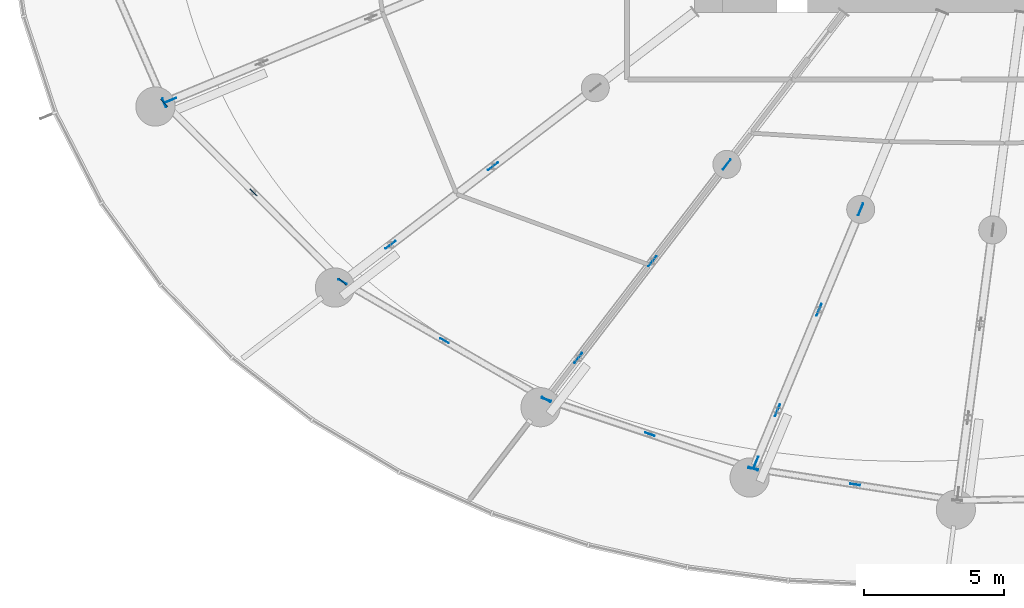
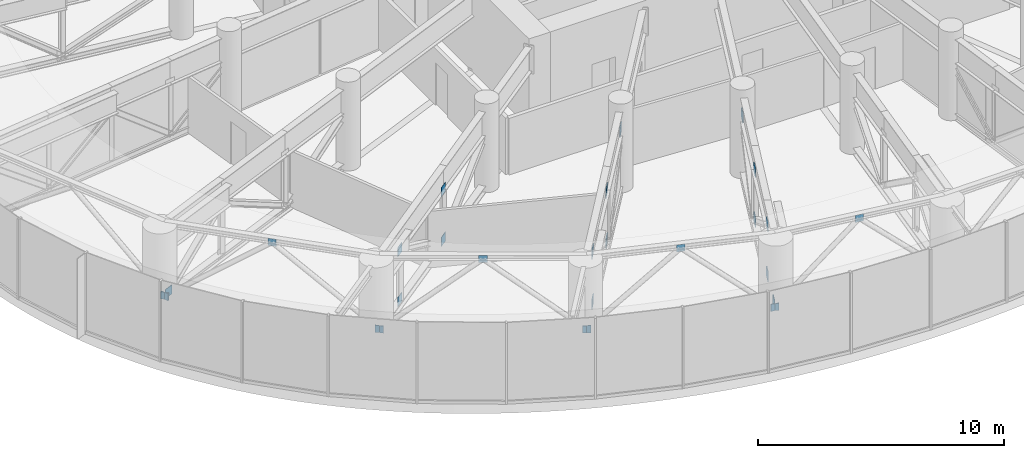
# One storey, part 27 of 42: 28 discrete accessories.
"""IFC4 building model written with IfcOpenShell, lengths in metres."""

from ifc_helpers import new_model, si_unit, direction, frame, origin, origin_2d, place, context, subcontext, project, spatial, rectangle, extrude, source, transform, mapped, material, layer, layer_set, type_object, element, save


model = new_model("IFC4")

# Units and contexts
model_context = context("Model", 3, precision=1e-05, world=origin(), true_north=direction((0.0, 1.0)))
body_context = subcontext(model_context, "Body", "Model", "MODEL_VIEW")
ifc_project = project(units=[si_unit("LENGTHUNIT", "METRE"), si_unit("AREAUNIT", "SQUARE_METRE"), si_unit("VOLUMEUNIT", "CUBIC_METRE"), si_unit("PLANEANGLEUNIT", "RADIAN"), si_unit("MASSUNIT", "GRAM", prefix="KILO")], contexts=[model_context])

# Site, building, storey
site_placement = place(None, origin())
site = spatial("IfcSite", under=ifc_project, at=site_placement, CompositionType="ELEMENT")
building_placement = place(site_placement, origin())
building = spatial("IfcBuilding", under=site, at=building_placement, Name="Spindrift Exchange Tower", CompositionType="ELEMENT")
storey_placement = place(building_placement, frame((0.0, 0.0, 75.39990234375)))
storey = spatial("IfcBuildingStorey", under=building, at=storey_placement, Name="L17", CompositionType="ELEMENT", Elevation=75.39990234375)

# Discrete accessories
ifc_material = material(Name="Steel Grade 350", Category="steel")
ifc_layer_1 = layer(ifc_material, 0.02490234375)
ifc_layer_set_1 = layer_set([ifc_layer_1], Name="Gusset plate 450x450x25 Steel Grade 350")
discrete_accessory_type_1 = type_object("IfcDiscreteAccessoryType", Name="Gusset plate 450x450x25 Steel Grade 350", PredefinedType="USERDEFINED", material=ifc_layer_set_1)
shared_shape_1 = source(origin(), body_context, "Body", "SweptSolid", [
    extrude(rectangle(XDim=0.449951171875, YDim=0.02490234375, at=origin_2d()), origin(), (0.0, 0.0, 1.0), 0.449951171875),
])
for number, where, z_axis, x_axis, name in (
    (1, (20.287109375, 34.864013671875, 0.10205078125), (0.0, 0.0, 1.0), (-0.923869513566, -0.382707619344, 0.0), "L17 gusset plate GP1 14"),
    (2, (31.80859375, 32.506591796875, 0.10205078125), (0.0, 0.0, 1.0), (-0.793351215308, -0.608764198331, 0.0), "L17 gusset plate GP1 15"),
    (3, (28.15185546875, 29.70068359375, 2.5751953125), (0.0, 0.0, 1.0), (-0.793351215308, -0.608764198331, 0.0), "L17 gusset plate GP1 15"),
    (4, (31.80859375, 32.506591796875, 2.5751953125), (0.0, 0.0, 1.0), (-0.793353340291, -0.608761429009, 0.0), "L17 gusset plate GP1 15"),
    (5, (28.15185546875, 29.70068359375, 0.10205078125), (0.0, 0.0, 1.0), (-0.793353340291, -0.608761429009, 0.0), "L17 gusset plate GP1 15"),
    (6, (40.164794921875, 32.576171875, 2.5751953125), (0.0, 0.0, 1.0), (-0.608755890343, -0.793357590228, 0.0), "L17 gusset plate GP1 16"),
    (7, (37.509521484375, 29.11572265625, 0.10205078125), (0.0, 0.0, 1.0), (-0.608755890343, -0.793357590228, 0.0), "L17 gusset plate GP1 16"),
    (8, (34.854248046875, 25.6552734375, 2.5751953125), (0.0, 0.0, 1.0), (-0.608771121603, -0.793345902808, 0.0), "L17 gusset plate GP1 16"),
    (9, (37.509521484375, 29.11572265625, 2.5751953125), (0.0, 0.0, 1.0), (-0.608761429009, -0.793353340291, 0.0), "L17 gusset plate GP1 16"),
    (10, (34.854248046875, 25.6552734375, 0.10205078125), (0.0, 0.0, 1.0), (-0.608761429009, -0.793353340291, 0.0), "L17 gusset plate GP1 16"),
    (11, (44.9453125, 30.96875, 2.5751953125), (0.0, 0.0, 1.0), (-0.382685044838, -0.923878864601, 0.0), "L17 gusset plate GP1 17"),
    (12, (43.458251953125, 27.37841796875, 0.10205078125), (0.0, 0.0, 1.0), (-0.382685044838, -0.923878864601, 0.0), "L17 gusset plate GP1 17"),
    (13, (41.970947265625, 23.787841796875, 2.5751953125), (0.0, 0.0, 1.0), (-0.382685044838, -0.923878864601, 0.0), "L17 gusset plate GP1 17"),
    (14, (41.19921875, 21.924560546875, 0.10205078125), (0.0, 0.0, 1.0), (-0.382664082593, -0.923887547212, 0.0), "L17 gusset plate GP1 17"),
    (15, (43.458251953125, 27.37841796875, 2.5751953125), (0.0, 0.0, 1.0), (-0.382683432365, -0.923879532511, 0.0), "L17 gusset plate GP1 17"),
    (16, (41.970947265625, 23.787841796875, 0.10205078125), (0.0, 0.0, 1.0), (-0.382683432365, -0.923879532511, 0.0), "L17 gusset plate GP1 17"),
):
    element("IfcDiscreteAccessory", number, at=place(storey_placement, frame(where, z_axis=z_axis, x_axis=x_axis)), inside=storey, type_object=discrete_accessory_type_1, Name=name, ObjectType="Gusset plate", PredefinedType="USERDEFINED", context=body_context, shape_type="MappedRepresentation", body=[
        mapped(shared_shape_1, transform((0.0, 0.0, 0.0), scale=1.0)),
    ])
ifc_layer_2 = layer(ifc_material, 0.02001953125)
ifc_layer_set_2 = layer_set([ifc_layer_2], Name="Gusset plate 350x350x20 Steel Grade 350")
discrete_accessory_type_2 = type_object("IfcDiscreteAccessoryType", Name="Gusset plate 350x350x20 Steel Grade 350", PredefinedType="USERDEFINED", material=ifc_layer_set_2)
shared_shape_2 = source(origin(), body_context, "Body", "SweptSolid", [
    extrude(rectangle(XDim=0.35009765625, YDim=0.02001953125, at=origin_2d()), origin(), (0.0, 0.0, 1.0), 0.35009765625),
])
for number, where, z_axis, x_axis, name in (
    (17, (20.065185546875, 34.772216796875, 0.0849609375), (0.0, 0.0, 1.0), (0.399445202658, -0.916757072552, 0.0), "L17 gusset plate GP2 13"),
    (18, (20.065185546875, 34.772216796875, 0.0849609375), (0.0, 0.0, 1.0), (0.705964286099, -0.708247433284, 0.0), "L17 gusset plate GP2 14"),
    (19, (23.249755859375, 31.577392578125, 3.56494140625), (0.0, 0.0, 1.0), (0.705964286099, -0.708247433284, 0.0), "L17 gusset plate GP2 14"),
    (20, (26.43408203125, 28.3828125, 0.0849609375), (0.0, 0.0, 1.0), (0.705964286099, -0.708247433284, 0.0), "L17 gusset plate GP2 14"),
    (21, (26.43408203125, 28.3828125, 0.0849609375), (0.0, 0.0, 1.0), (0.865554654414, -0.50081447685, 0.0), "L17 gusset plate GP2 15"),
    (22, (30.074462890625, 26.2763671875, 3.56494140625), (0.0, 0.0, 1.0), (0.865554654414, -0.50081447685, 0.0), "L17 gusset plate GP2 15"),
    (23, (33.714599609375, 24.169921875, 0.0849609375), (0.0, 0.0, 1.0), (0.86554416519, -0.500832604874, 0.0), "L17 gusset plate GP2 15"),
    (24, (33.714599609375, 24.169921875, 0.0849609375), (0.0, 0.0, 1.0), (0.948567600562, -0.316574647064, 0.0), "L17 gusset plate GP2 16"),
    (25, (37.410888671875, 22.936279296875, 3.56494140625), (0.0, 0.0, 1.0), (0.948567600562, -0.316574647064, 0.0), "L17 gusset plate GP2 16"),
    (26, (41.107421875, 21.70263671875, 0.0849609375), (0.0, 0.0, 1.0), (0.948559864901, -0.316597824848, 0.0), "L17 gusset plate GP2 16"),
    (27, (41.107421875, 21.70263671875, 0.0849609375), (0.0, 0.0, 1.0), (0.988235322706, -0.152940991745, 0.0), "L17 gusset plate GP2 17"),
    (28, (44.748291015625, 21.13916015625, 3.56494140625), (0.0, 0.0, 1.0), (0.988235322706, -0.152940991745, 0.0), "L17 gusset plate GP2 17"),
):
    element("IfcDiscreteAccessory", number, at=place(storey_placement, frame(where, z_axis=z_axis, x_axis=x_axis)), inside=storey, type_object=discrete_accessory_type_2, Name=name, ObjectType="Gusset plate", PredefinedType="USERDEFINED", context=body_context, shape_type="MappedRepresentation", body=[
        mapped(shared_shape_2, transform((0.0, 0.0, 0.0), scale=1.0)),
    ])

save(model, "model.ifc")
